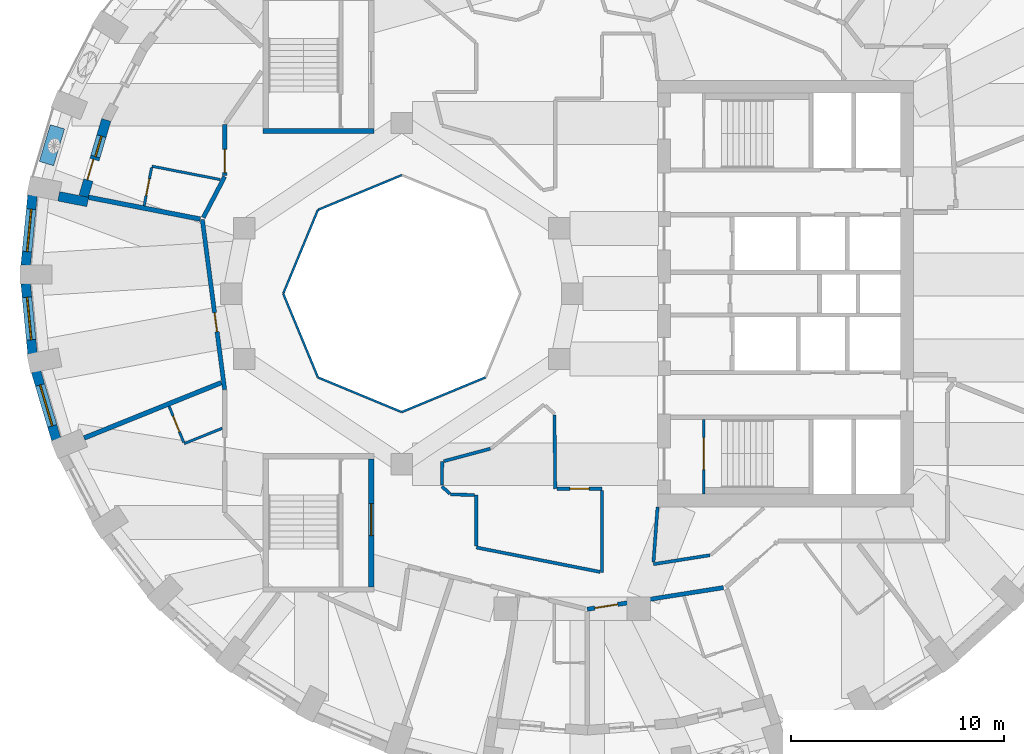
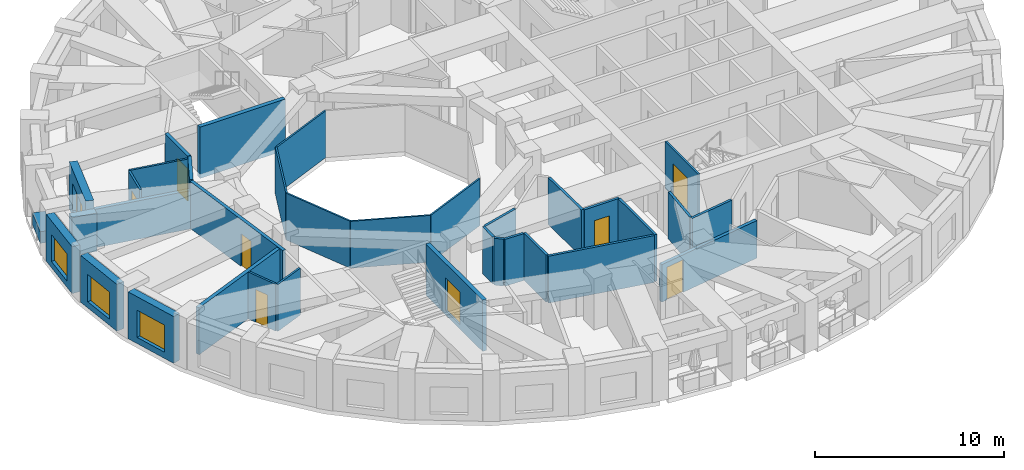
# One storey, part 4 of 12: 35 walls, 9 doors, 4 windows, 13 openings.
"""IFC4 building model written with IfcOpenShell, lengths in metres."""

from ifc_helpers import new_model, si_unit, direction, frame, frame_2d, origin, place, context, subcontext, project, spatial, rectangle, extrude, material, layer, layer_set, constituent, constituent_set, type_object, element, fill, save


model = new_model("IFC4")

# Units and contexts
model_context = context("Model", 3, precision=1e-05, world=origin(), true_north=direction((0.0, 1.0)))
body_context = subcontext(model_context, "Body", "Model", "MODEL_VIEW")
ifc_project = project(units=[si_unit("LENGTHUNIT", "METRE"), si_unit("AREAUNIT", "SQUARE_METRE"), si_unit("VOLUMEUNIT", "CUBIC_METRE"), si_unit("PLANEANGLEUNIT", "RADIAN"), si_unit("MASSUNIT", "GRAM", prefix="KILO")], contexts=[model_context])

# Site, building, storey
site_placement = place(None, origin())
site = spatial("IfcSite", under=ifc_project, at=site_placement, CompositionType="ELEMENT")
building_placement = place(site_placement, origin())
building = spatial("IfcBuilding", under=site, at=building_placement, Name="Taillehof Tower", CompositionType="ELEMENT")
storey_placement = place(building_placement, frame((0.0, 0.0, 205.699951171875)))
storey = spatial("IfcBuildingStorey", under=building, at=storey_placement, Name="L58", CompositionType="ELEMENT", Elevation=205.699951171875)

# Walls
ifc_material_1 = material(Name="Fire-resisting glass in steel frame", Category="steel")
ifc_layer_1 = layer(ifc_material_1, 0.10009765625)
ifc_layer_set_1 = layer_set([ifc_layer_1], Name="Atrium fire-resisting screen EI 60 100")
wall_type_1 = type_object("IfcWallType", Name="Atrium fire-resisting screen EI 60 100", PredefinedType="PARTITIONING", material=ifc_layer_set_1)
for number, where, z_axis, x_axis, name in (
    (1, (-4.07275390625, -3.92724609375, 0.0), (0.0, 0.0, 1.0), (-0.923860025149, -0.382730523909, 0.0), "Atrium screen"),
    (2, (-8.0, -5.55419921875, 0.0), (0.0, 0.0, 1.0), (-0.923860025149, 0.382730523909, 0.0), "Atrium screen"),
    (3, (-11.92724609375, -3.92724609375, 0.0), (0.0, 0.0, 1.0), (-0.382730523909, 0.923860025149, 0.0), "Atrium screen"),
    (4, (-13.55419921875, 0.0, 0.0), (0.0, 0.0, 1.0), (0.382730523909, 0.923860025149, 0.0), "Atrium screen"),
    (5, (-11.92724609375, 3.92724609375, 0.0), (0.0, 0.0, 1.0), (0.923860025149, 0.382730523909, 0.0), "Atrium screen"),
):
    element("IfcWall", number, at=place(storey_placement, frame(where, z_axis=z_axis, x_axis=x_axis)), inside=storey, type_object=wall_type_1, Name=name, PredefinedType="PARTITIONING", context=body_context, shape_type="SweptSolid", body=[
        extrude(rectangle(XDim=4.2509765625, YDim=0.10009765625, at=frame_2d((2.12548828125, 0.0))), origin(), (0.0, 0.0, 1.0), 3.02001953125),
    ])

# Wall, opening, window
ifc_material_2 = material(Name="Brick masonry", Category="masonry")
ifc_layer_2 = layer(ifc_material_2, 0.449951171875)
ifc_layer_set_2 = layer_set([ifc_layer_2], Name="Brick infill wall 450")
wall_type_2 = type_object("IfcWallType", Name="Brick infill wall 450", PredefinedType="SOLIDWALL", material=ifc_layer_set_2)
wall_1_placement = place(storey_placement, frame((-25.313232421875, 4.607666015625, 0.0), z_axis=(0.0, 0.0, 1.0), x_axis=(-0.096824116835, -0.995301507283, 0.0)))
wall_1 = element("IfcWall", 6, at=wall_1_placement, inside=storey, type_object=wall_type_2, Name="Brick wall L58 bay 18", PredefinedType="SOLIDWALL", context=body_context, shape_type="SweptSolid", body=[
    extrude(rectangle(XDim=3.29296875, YDim=0.449951171875, at=frame_2d((1.646484375, 0.0))), origin(), (0.0, 0.0, 1.0), 3.02001953125),
])
opening_1_placement = place(wall_1_placement, frame((0.646484375, 0.0, 0.39990234375)))
opening_1 = element("IfcOpeningElement", 7, at=opening_1_placement, cuts=wall_1, Name="Opening W2", PredefinedType="OPENING", context=body_context, shape_type="SweptSolid", body=[
    extrude(rectangle(XDim=2.0, YDim=1.75, at=frame_2d((1.0, 0.875))), frame((0.0, 0.23486328125, 0.0), z_axis=(0.0, -1.0, 0.0), x_axis=(1.0, 0.0, 0.0)), (0.0, 0.0, 1.0), 0.469970703125),
])
ifc_material_3 = material(Name="Aluminium window frame with clear double glazing", Category="aluminium")
window_type_1 = type_object("IfcWindowType", Name="Deep-set window 2000x1750", PartitioningType="SINGLE_PANEL", PredefinedType="WINDOW", material=ifc_material_3)
window_1_placement = place(opening_1_placement, origin())
window_1 = element("IfcWindow", 8, at=window_1_placement, inside=storey, type_object=window_type_1, Name="W2", OverallHeight=1.75, OverallWidth=2.0, PartitioningType="SINGLE_PANEL", PredefinedType="WINDOW", context=body_context, shape_type="SweptSolid", body=[
    extrude(rectangle(XDim=2.0, YDim=1.75, at=frame_2d((1.0, 0.875))), frame((0.0, 0.034912109375, 0.0), z_axis=(0.0, -1.0, 0.0), x_axis=(1.0, 0.0, 0.0)), (0.0, 0.0, 1.0), 0.06005859375),
])
fill(opening_1, window_1)

wall_2_placement = place(storey_placement, frame((-25.632080078125, 0.469970703125, 0.0), z_axis=(0.0, 0.0, 1.0), x_axis=(0.096816972749, -0.995302202242, 0.0)))
wall_2 = element("IfcWall", 9, at=wall_2_placement, inside=storey, type_object=wall_type_2, Name="Brick wall L58 bay 19", PredefinedType="SOLIDWALL", context=body_context, shape_type="SweptSolid", body=[
    extrude(rectangle(XDim=3.293212890625, YDim=0.449951171875, at=frame_2d((1.646484375, 0.0))), origin(), (0.0, 0.0, 1.0), 3.02001953125),
])
opening_2_placement = place(wall_2_placement, frame((0.646484375, 0.0, 0.39990234375)))
opening_2 = element("IfcOpeningElement", 10, at=opening_2_placement, cuts=wall_2, Name="Opening W2", PredefinedType="OPENING", context=body_context, shape_type="SweptSolid", body=[
    extrude(rectangle(XDim=2.0, YDim=1.75, at=frame_2d((1.0, 0.875))), frame((0.0, 0.23486328125, 0.0), z_axis=(0.0, -1.0, 0.0), x_axis=(1.0, 0.0, 0.0)), (0.0, 0.0, 1.0), 0.469970703125),
])
window_2_placement = place(opening_2_placement, origin())
window_2 = element("IfcWindow", 11, at=window_2_placement, inside=storey, type_object=window_type_1, Name="W2", OverallHeight=1.75, OverallWidth=2.0, PartitioningType="SINGLE_PANEL", PredefinedType="WINDOW", context=body_context, shape_type="SweptSolid", body=[
    extrude(rectangle(XDim=2.0, YDim=1.75, at=frame_2d((1.0, 0.875))), frame((0.0, 0.034912109375, 0.0), z_axis=(0.0, -1.0, 0.0), x_axis=(1.0, 0.0, 0.0)), (0.0, 0.0, 1.0), 0.06005859375),
])
fill(opening_2, window_2)

wall_3_placement = place(storey_placement, frame((-25.148193359375, -3.65185546875, 0.0), z_axis=(0.0, 0.0, 1.0), x_axis=(0.285444972963, -0.958395099847, 0.0)))
wall_3 = element("IfcWall", 12, at=wall_3_placement, inside=storey, type_object=wall_type_2, Name="Brick wall L58 bay 20", PredefinedType="SOLIDWALL", context=body_context, shape_type="SweptSolid", body=[
    extrude(rectangle(XDim=3.3203125, YDim=0.449951171875, at=frame_2d((1.66015625, 0.0))), origin(), (0.0, 0.0, 1.0), 3.02001953125),
])
opening_3_placement = place(wall_3_placement, frame((0.66015625, 0.0, 0.39990234375)))
opening_3 = element("IfcOpeningElement", 13, at=opening_3_placement, cuts=wall_3, Name="Opening W2", PredefinedType="OPENING", context=body_context, shape_type="SweptSolid", body=[
    extrude(rectangle(XDim=2.0, YDim=1.75, at=frame_2d((1.0, 0.875))), frame((0.0, 0.23486328125, 0.0), z_axis=(0.0, -1.0, 0.0), x_axis=(1.0, 0.0, 0.0)), (0.0, 0.0, 1.0), 0.469970703125),
])
window_3_placement = place(opening_3_placement, origin())
window_3 = element("IfcWindow", 14, at=window_3_placement, inside=storey, type_object=window_type_1, Name="W2", OverallHeight=1.75, OverallWidth=2.0, PartitioningType="SINGLE_PANEL", PredefinedType="WINDOW", context=body_context, shape_type="SweptSolid", body=[
    extrude(rectangle(XDim=2.0, YDim=1.75, at=frame_2d((1.0, 0.875))), frame((0.0, 0.034912109375, 0.0), z_axis=(0.0, -1.0, 0.0), x_axis=(1.0, 0.0, 0.0)), (0.0, 0.0, 1.0), 0.06005859375),
])
fill(opening_3, window_3)

# Wall
wall_4_placement = place(storey_placement, frame((-24.086669921875, 4.56298828125, 0.0), z_axis=(0.0, 0.0, 1.0), x_axis=(0.98143579878, -0.191790961394, 0.0)))
element("IfcWall", 15, at=wall_4_placement, inside=storey, type_object=wall_type_2, Name="Brick reveal L58 pocket 4", PredefinedType="SOLIDWALL", context=body_context, shape_type="SweptSolid", body=[
    extrude(rectangle(XDim=1.39013671875, YDim=0.449951171875, at=frame_2d((0.695068359375, 0.0))), origin(), (0.0, 0.0, 1.0), 2.469970703125),
])

# Wall, openings, door, window
wall_5_placement = place(storey_placement, frame((-21.8544921875, 8.146484375, 0.0), z_axis=(0.0, 0.0, 1.0), x_axis=(-0.284757753004, -0.958599510799, 0.0)))
wall_5 = element("IfcWall", 16, at=wall_5_placement, inside=storey, type_object=wall_type_2, Name="Brick wall L58 pocket bay 17", PredefinedType="SOLIDWALL", context=body_context, shape_type="SweptSolid", body=[
    extrude(rectangle(XDim=3.7373046875, YDim=0.449951171875, at=frame_2d((1.86865234375, 0.0))), origin(), (0.0, 0.0, 1.0), 3.02001953125),
])
opening_4_placement = place(wall_5_placement, frame((0.793701171875, 0.0, 0.39990234375)))
opening_4 = element("IfcOpeningElement", 17, at=opening_4_placement, cuts=wall_5, Name="Opening W5", PredefinedType="OPENING", context=body_context, shape_type="SweptSolid", body=[
    extrude(rectangle(XDim=1.0, YDim=1.75, at=frame_2d((0.5, 0.875))), frame((0.0, 0.23486328125, 0.0), z_axis=(0.0, -1.0, 0.0), x_axis=(1.0, 0.0, 0.0)), (0.0, 0.0, 1.0), 0.469970703125),
])
opening_5_placement = place(wall_5_placement, frame((1.943603515625, 0.0, 0.0)))
opening_5 = element("IfcOpeningElement", 18, at=opening_5_placement, cuts=wall_5, Name="Opening D5893", PredefinedType="OPENING", context=body_context, shape_type="SweptSolid", body=[
    extrude(rectangle(XDim=1.0, YDim=2.14990234375, at=frame_2d((0.5, 1.074951171875))), frame((0.0, 0.23486328125, 0.0), z_axis=(0.0, -1.0, 0.0), x_axis=(1.0, 0.0, 0.0)), (0.0, 0.0, 1.0), 0.469970703125),
])
ifc_material_4 = material(Name="Aluminium door frame with clear double glazing", Category="aluminium")
door_type_1 = type_object("IfcDoorType", Name="Balcony door 1000x2150", OperationType="SINGLE_SWING_RIGHT", PredefinedType="DOOR", material=ifc_material_4)
door_1_placement = place(opening_5_placement, frame((1.0, 0.0, 0.0), z_axis=(0.0, 0.0, 1.0), x_axis=(-1.0, 0.0, 0.0)))
door_1 = element("IfcDoor", 19, at=door_1_placement, inside=storey, type_object=door_type_1, Name="Balcony door L58 bay 17", OperationType="SINGLE_SWING_LEFT", OverallHeight=2.14990234375, OverallWidth=1.0, PredefinedType="DOOR", context=body_context, shape_type="SweptSolid", body=[
    extrude(rectangle(XDim=1.0, YDim=2.14990234375, at=frame_2d((0.5, 1.074951171875))), frame((0.0, 0.0751953125, 0.0), z_axis=(0.0, -1.0, 0.0), x_axis=(1.0, 0.0, 0.0)), (0.0, 0.0, 1.0), 0.050048828125),
])
fill(opening_5, door_1)
ifc_material_5 = material(Name="Aluminium window frame with clear double glazing", Category="aluminium")
window_type_2 = type_object("IfcWindowType", Name="Fixed window 1000x1750", PartitioningType="SINGLE_PANEL", PredefinedType="WINDOW", material=ifc_material_5)
window_4_placement = place(opening_4_placement, origin())
window_4 = element("IfcWindow", 20, at=window_4_placement, inside=storey, type_object=window_type_2, Name="W5", OverallHeight=1.75, OverallWidth=1.0, PartitioningType="SINGLE_PANEL", PredefinedType="WINDOW", context=body_context, shape_type="SweptSolid", body=[
    extrude(rectangle(XDim=1.0, YDim=1.75, at=frame_2d((0.5, 0.875))), frame((0.0, 0.034912109375, 0.0), z_axis=(0.0, -1.0, 0.0), x_axis=(1.0, 0.0, 0.0)), (0.0, 0.0, 1.0), 0.06005859375),
])
fill(opening_4, window_4)

# Wall, opening, door
ifc_material_6 = material(Name="Gypsum board on steel studs, two layers each side", Category="steel")
ifc_layer_3 = layer(ifc_material_6, 0.199951171875)
ifc_layer_set_3 = layer_set([ifc_layer_3], Name="Compartment wall corridor 200")
wall_type_3 = type_object("IfcWallType", Name="Compartment wall corridor 200", PredefinedType="PARTITIONING", material=ifc_layer_set_3)
wall_6_placement = place(storey_placement, frame((7.08935546875, -13.785888671875, 0.0), z_axis=(0.0, 0.0, 1.0), x_axis=(-0.987636270411, -0.156762869867, 0.0)))
wall_6 = element("IfcWall", 21, at=wall_6_placement, inside=storey, type_object=wall_type_3, Name="Compartment wall", PredefinedType="PARTITIONING", context=body_context, shape_type="SweptSolid", body=[
    extrude(rectangle(XDim=6.469482421875, YDim=0.199951171875, at=frame_2d((3.23486328125, 0.0))), origin(), (0.0, 0.0, 1.0), 2.420166015625),
])
opening_6_placement = place(wall_6_placement, frame((5.015869140625, 0.0, 0.0)))
opening_6 = element("IfcOpeningElement", 22, at=opening_6_placement, cuts=wall_6, Name="Opening D5859", PredefinedType="OPENING", context=body_context, shape_type="SweptSolid", body=[
    extrude(rectangle(XDim=1.10009765625, YDim=2.10009765625, at=frame_2d((0.550048828125, 1.050048828125))), frame((0.0, 0.10986328125, 0.0), z_axis=(0.0, -1.0, 0.0), x_axis=(1.0, 0.0, 0.0)), (0.0, 0.0, 1.0), 0.219970703125),
])
ifc_material_7 = material(Name="Timber door leaf in steel frame", Category="steel")
door_type_2 = type_object("IfcDoorType", Name="Suite entrance door EI 30 1100 x 2100", OperationType="SINGLE_SWING_LEFT", PredefinedType="DOOR", material=ifc_material_7)
door_2_placement = place(opening_6_placement, origin())
door_2 = element("IfcDoor", 23, at=door_2_placement, inside=storey, type_object=door_type_2, Name="D5859", OperationType="SINGLE_SWING_RIGHT", OverallHeight=2.10009765625, OverallWidth=1.10009765625, PredefinedType="DOOR", context=body_context, shape_type="SweptSolid", body=[
    extrude(rectangle(XDim=1.10009765625, YDim=2.10009765625, at=frame_2d((0.550048828125, 1.050048828125))), frame((0.0, 0.02490234375, 0.0), z_axis=(0.0, -1.0, 0.0), x_axis=(1.0, 0.0, 0.0)), (0.0, 0.0, 1.0), 0.050048828125),
])
fill(opening_6, door_2)

wall_7_placement = place(storey_placement, frame((-16.302734375, -4.500732421875, 0.0), z_axis=(0.0, 0.0, 1.0), x_axis=(-0.130191522351, 0.991488864036, 0.0)))
wall_7 = element("IfcWall", 24, at=wall_7_placement, inside=storey, type_object=wall_type_3, Name="Compartment wall", PredefinedType="PARTITIONING", context=body_context, shape_type="SweptSolid", body=[
    extrude(rectangle(XDim=8.044677734375, YDim=0.199951171875, at=frame_2d((4.0224609375, 0.0))), origin(), (0.0, 0.0, 1.0), 3.02001953125),
])
opening_7_placement = place(wall_7_placement, frame((2.737548828125, 0.0, 0.0)))
opening_7 = element("IfcOpeningElement", 25, at=opening_7_placement, cuts=wall_7, Name="Opening D5852", PredefinedType="OPENING", context=body_context, shape_type="SweptSolid", body=[
    extrude(rectangle(XDim=0.89990234375, YDim=2.10009765625, at=frame_2d((0.449951171875, 1.050048828125))), frame((0.0, 0.10986328125, 0.0), z_axis=(0.0, -1.0, 0.0), x_axis=(1.0, 0.0, 0.0)), (0.0, 0.0, 1.0), 0.219970703125),
])
ifc_material_8 = material(Name="Timber door leaf in steel frame", Category="steel")
door_type_3 = type_object("IfcDoorType", Name="Service room door EI 30 900 x 2100", OperationType="SINGLE_SWING_LEFT", PredefinedType="DOOR", material=ifc_material_8)
door_3_placement = place(opening_7_placement, origin())
door_3 = element("IfcDoor", 26, at=door_3_placement, inside=storey, type_object=door_type_3, Name="D5852", OperationType="SINGLE_SWING_LEFT", OverallHeight=2.10009765625, OverallWidth=0.89990234375, PredefinedType="DOOR", context=body_context, shape_type="SweptSolid", body=[
    extrude(rectangle(XDim=0.89990234375, YDim=2.10009765625, at=frame_2d((0.449951171875, 1.050048828125))), frame((0.0, 0.02490234375, 0.0), z_axis=(0.0, -1.0, 0.0), x_axis=(1.0, 0.0, 0.0)), (0.0, 0.0, 1.0), 0.050048828125),
])
fill(opening_7, door_3)

# Wall
wall_8_placement = place(storey_placement, frame((-17.3037109375, 3.564697265625, 0.0), z_axis=(0.0, 0.0, 1.0), x_axis=(0.46212415324, 0.886815238363, 0.0)))
element("IfcWall", 27, at=wall_8_placement, inside=storey, type_object=wall_type_3, Name="Compartment wall", PredefinedType="PARTITIONING", context=body_context, shape_type="SweptSolid", body=[
    extrude(rectangle(XDim=2.171875, YDim=0.199951171875, at=frame_2d((1.0859375, 0.0))), origin(), (0.0, 0.0, 1.0), 3.02001953125),
])

# Wall, opening, door
wall_9_placement = place(storey_placement, frame((-16.300048828125, 5.53076171875, 0.0), z_axis=(0.0, 0.0, 1.0), x_axis=(0.0, 1.0, 0.0)))
wall_9 = element("IfcWall", 28, at=wall_9_placement, inside=storey, type_object=wall_type_3, Name="Compartment wall", PredefinedType="PARTITIONING", context=body_context, shape_type="SweptSolid", body=[
    extrude(rectangle(XDim=2.409423828125, YDim=0.199951171875, at=frame_2d((1.20458984375, 0.0))), origin(), (0.0, 0.0, 1.0), 3.02001953125),
])
opening_8_placement = place(wall_9_placement, frame((0.139892578125, 0.0, 0.0)))
opening_8 = element("IfcOpeningElement", 29, at=opening_8_placement, cuts=wall_9, Name="Opening D5850", PredefinedType="OPENING", context=body_context, shape_type="SweptSolid", body=[
    extrude(rectangle(XDim=1.10009765625, YDim=2.10009765625, at=frame_2d((0.550048828125, 1.050048828125))), frame((0.0, 0.10986328125, 0.0), z_axis=(0.0, -1.0, 0.0), x_axis=(1.0, 0.0, 0.0)), (0.0, 0.0, 1.0), 0.219970703125),
])
door_4_placement = place(opening_8_placement, origin())
door_4 = element("IfcDoor", 30, at=door_4_placement, inside=storey, type_object=door_type_2, Name="D5850", OperationType="SINGLE_SWING_LEFT", OverallHeight=2.10009765625, OverallWidth=1.10009765625, PredefinedType="DOOR", context=body_context, shape_type="SweptSolid", body=[
    extrude(rectangle(XDim=1.10009765625, YDim=2.10009765625, at=frame_2d((0.550048828125, 1.050048828125))), frame((0.0, 0.02490234375, 0.0), z_axis=(0.0, -1.0, 0.0), x_axis=(1.0, 0.0, 0.0)), (0.0, 0.0, 1.0), 0.050048828125),
])
fill(opening_8, door_4)

# Walls
ifc_material_9 = material(Name="Gypsum board on double steel studs with mineral wool", Category="steel")
ifc_layer_4 = layer(ifc_material_9, 0.219970703125)
ifc_layer_set_4 = layer_set([ifc_layer_4], Name="Compartment wall guest room 220")
wall_type_4 = type_object("IfcWallType", Name="Compartment wall guest room 220", PredefinedType="PARTITIONING", material=ifc_layer_set_4)
wall_10_placement = place(storey_placement, frame((-22.69677734375, 4.5205078125, 0.0), z_axis=(0.0, 0.0, 1.0), x_axis=(0.981448712972, -0.19172486486, 0.0)))
element("IfcWall", 31, at=wall_10_placement, inside=storey, type_object=wall_type_4, Name="Compartment wall", PredefinedType="PARTITIONING", context=body_context, shape_type="SweptSolid", body=[
    extrude(rectangle(XDim=5.34814453125, YDim=0.219970703125, at=frame_2d((2.674072265625, 0.0))), origin(), (0.0, 0.0, 1.0), 2.469970703125),
])
wall_11_placement = place(storey_placement, frame((-22.8955078125, -6.771484375, 0.0), z_axis=(0.0, 0.0, 1.0), x_axis=(0.927377440276, 0.374127095073, 0.0)))
element("IfcWall", 32, at=wall_11_placement, inside=storey, type_object=wall_type_4, Name="Compartment wall", PredefinedType="PARTITIONING", context=body_context, shape_type="SweptSolid", body=[
    extrude(rectangle(XDim=6.933349609375, YDim=0.219970703125, at=frame_2d((3.466796875, 0.0))), origin(), (0.0, 0.0, 1.0), 3.02001953125),
])
ifc_material_10 = material(Name="Gypsum board on steel studs, two layers each side", Category="steel")
ifc_layer_5 = layer(ifc_material_10, 0.14990234375)
ifc_layer_set_5 = layer_set([ifc_layer_5], Name="Compartment wall service room 150")
wall_type_5 = type_object("IfcWallType", Name="Compartment wall service room 150", PredefinedType="PARTITIONING", material=ifc_layer_set_5)
wall_12_placement = place(storey_placement, frame((-0.8369140625, -5.69873046875, 0.0), z_axis=(0.0, 0.0, 1.0), x_axis=(0.010681337428, -0.999942952888, 0.0)))
element("IfcWall", 33, at=wall_12_placement, inside=storey, type_object=wall_type_5, Name="Compartment wall", PredefinedType="PARTITIONING", context=body_context, shape_type="SweptSolid", body=[
    extrude(rectangle(XDim=3.451416015625, YDim=0.14990234375, at=frame_2d((1.7255859375, 0.0))), origin(), (0.0, 0.0, 1.0), 3.02001953125),
])

# Wall, opening, door
wall_13_placement = place(storey_placement, frame((-0.719970703125, -9.14990234375, 0.0), z_axis=(0.0, 0.0, 1.0), x_axis=(1.0, 0.0, 0.0)))
wall_13 = element("IfcWall", 34, at=wall_13_placement, inside=storey, type_object=wall_type_5, Name="Compartment wall", PredefinedType="PARTITIONING", context=body_context, shape_type="SweptSolid", body=[
    extrude(rectangle(XDim=2.119873046875, YDim=0.14990234375, at=frame_2d((1.06005859375, 0.0))), origin(), (0.0, 0.0, 1.0), 3.02001953125),
])
opening_9_placement = place(wall_13_placement, frame((0.60986328125, 0.0, 0.0)))
opening_9 = element("IfcOpeningElement", 35, at=opening_9_placement, cuts=wall_13, Name="Opening D5867", PredefinedType="OPENING", context=body_context, shape_type="SweptSolid", body=[
    extrude(rectangle(XDim=0.89990234375, YDim=2.10009765625, at=frame_2d((0.449951171875, 1.050048828125))), frame((0.0, 0.0849609375, 0.0), z_axis=(0.0, -1.0, 0.0), x_axis=(1.0, 0.0, 0.0)), (0.0, 0.0, 1.0), 0.169921875),
])
door_5_placement = place(opening_9_placement, origin())
door_5 = element("IfcDoor", 36, at=door_5_placement, inside=storey, type_object=door_type_3, Name="D5867", OperationType="SINGLE_SWING_LEFT", OverallHeight=2.10009765625, OverallWidth=0.89990234375, PredefinedType="DOOR", context=body_context, shape_type="SweptSolid", body=[
    extrude(rectangle(XDim=0.89990234375, YDim=2.10009765625, at=frame_2d((0.449951171875, 1.050048828125))), frame((0.0, 0.02490234375, 0.0), z_axis=(0.0, -1.0, 0.0), x_axis=(1.0, 0.0, 0.0)), (0.0, 0.0, 1.0), 0.050048828125),
])
fill(opening_9, door_5)

# Walls
wall_14_placement = place(storey_placement, frame((1.39990234375, -9.22998046875, 0.0), z_axis=(0.0, 0.0, 1.0), x_axis=(0.0, -1.0, 0.0)))
element("IfcWall", 37, at=wall_14_placement, inside=storey, type_object=wall_type_5, Name="Compartment wall", PredefinedType="PARTITIONING", context=body_context, shape_type="SweptSolid", body=[
    extrude(rectangle(XDim=3.8388671875, YDim=0.14990234375, at=frame_2d((1.91943359375, 0.0))), origin(), (0.0, 0.0, 1.0), 3.02001953125),
])
wall_15_placement = place(storey_placement, frame((1.30224609375, -13.04931640625, 0.0), z_axis=(0.0, 0.0, 1.0), x_axis=(-0.981063502149, 0.193686356647, 0.0)))
element("IfcWall", 38, at=wall_15_placement, inside=storey, type_object=wall_type_5, Name="Compartment wall", PredefinedType="PARTITIONING", context=body_context, shape_type="SweptSolid", body=[
    extrude(rectangle(XDim=5.914306640625, YDim=0.14990234375, at=frame_2d((2.95703125, 0.0))), origin(), (0.0, 0.0, 1.0), 3.02001953125),
])
wall_16_placement = place(storey_placement, frame((-4.5, -11.82373046875, 0.0), z_axis=(0.0, 0.0, 1.0), x_axis=(0.0, 1.0, 0.0)))
element("IfcWall", 39, at=wall_16_placement, inside=storey, type_object=wall_type_5, Name="Compartment wall", PredefinedType="PARTITIONING", context=body_context, shape_type="SweptSolid", body=[
    extrude(rectangle(XDim=2.373779296875, YDim=0.14990234375, at=frame_2d((1.18701171875, 0.0))), origin(), (0.0, 0.0, 1.0), 3.02001953125),
])
wall_17_placement = place(storey_placement, frame((-4.580078125, -9.447021484375, 0.0), z_axis=(0.0, 0.0, 1.0), x_axis=(-0.999526758156, 0.030761334993, 0.0)))
element("IfcWall", 40, at=wall_17_placement, inside=storey, type_object=wall_type_5, Name="Compartment wall", PredefinedType="PARTITIONING", context=body_context, shape_type="SweptSolid", body=[
    extrude(rectangle(XDim=1.126953125, YDim=0.14990234375, at=frame_2d((0.5634765625, 0.0))), origin(), (0.0, 0.0, 1.0), 3.02001953125),
])
wall_18_placement = place(storey_placement, frame((-5.736328125, -9.385498046875, 0.0), z_axis=(0.0, 0.0, 1.0), x_axis=(-0.740919573429, 0.671593765389, 0.0)))
element("IfcWall", 41, at=wall_18_placement, inside=storey, type_object=wall_type_5, Name="Compartment wall", PredefinedType="PARTITIONING", context=body_context, shape_type="SweptSolid", body=[
    extrude(rectangle(XDim=0.507080078125, YDim=0.14990234375, at=frame_2d((0.25341796875, 0.0))), origin(), (0.0, 0.0, 1.0), 3.02001953125),
])
wall_19_placement = place(storey_placement, frame((-6.111328125, -8.98486328125, 0.0), z_axis=(0.0, 0.0, 1.0), x_axis=(0.010133870444, 0.999948651017, 0.0)))
element("IfcWall", 42, at=wall_19_placement, inside=storey, type_object=wall_type_5, Name="Compartment wall", PredefinedType="PARTITIONING", context=body_context, shape_type="SweptSolid", body=[
    extrude(rectangle(XDim=1.108154296875, YDim=0.14990234375, at=frame_2d((0.55419921875, 0.0))), origin(), (0.0, 0.0, 1.0), 3.02001953125),
])
wall_20_placement = place(storey_placement, frame((-6.02294921875, -7.856201171875, 0.0), z_axis=(0.0, 0.0, 1.0), x_axis=(0.965887119847, 0.25896345633, 0.0)))
element("IfcWall", 43, at=wall_20_placement, inside=storey, type_object=wall_type_5, Name="Compartment wall", PredefinedType="PARTITIONING", context=body_context, shape_type="SweptSolid", body=[
    extrude(rectangle(XDim=2.254150390625, YDim=0.14990234375, at=frame_2d((1.126953125, 0.0))), origin(), (0.0, 0.0, 1.0), 3.02001953125),
])
wall_21_placement = place(storey_placement, frame((6.456787109375, -12.266357421875, 0.0), z_axis=(0.0, 0.0, 1.0), x_axis=(-0.987639766053, -0.156740845063, 0.0)))
element("IfcWall", 44, at=wall_21_placement, inside=storey, type_object=wall_type_5, Name="Compartment wall", PredefinedType="PARTITIONING", context=body_context, shape_type="SweptSolid", body=[
    extrude(rectangle(XDim=2.68994140625, YDim=0.14990234375, at=frame_2d((1.344970703125, 0.0))), origin(), (0.0, 0.0, 1.0), 3.02001953125),
])
wall_22_placement = place(storey_placement, frame((3.807373046875, -12.587890625, 0.0), z_axis=(0.0, 0.0, 1.0), x_axis=(0.07420077159, 0.997243323114, 0.0)))
element("IfcWall", 45, at=wall_22_placement, inside=storey, type_object=wall_type_5, Name="Compartment wall", PredefinedType="PARTITIONING", context=body_context, shape_type="SweptSolid", body=[
    extrude(rectangle(XDim=2.595947265625, YDim=0.14990234375, at=frame_2d((1.2978515625, 0.0))), origin(), (0.0, 0.0, 1.0), 3.02001953125),
])
ifc_material_11 = material(Name="Gypsum board on steel studs, moisture resistant", Category="steel")
ifc_layer_6 = layer(ifc_material_11, 0.1201171875)
ifc_layer_set_6 = layer_set([ifc_layer_6], Name="En-suite wall 120")
wall_type_6 = type_object("IfcWallType", Name="En-suite wall 120", PredefinedType="PARTITIONING", material=ifc_layer_set_6)
wall_23_placement = place(storey_placement, frame((-16.508056640625, 5.34912109375, 0.0), z_axis=(0.0, 0.0, 1.0), x_axis=(-0.981441910277, 0.191759684898, 0.0)))
element("IfcWall", 46, at=wall_23_placement, inside=storey, type_object=wall_type_6, Name="En-suite wall", PredefinedType="PARTITIONING", context=body_context, shape_type="SweptSolid", body=[
    extrude(rectangle(XDim=3.266845703125, YDim=0.1201171875, at=frame_2d((1.63330078125, 0.0))), origin(), (0.0, 0.0, 1.0), 3.02001953125),
])
wall_24_placement = place(storey_placement, frame((-16.418701171875, -6.315185546875, 0.0), z_axis=(0.0, 0.0, 1.0), x_axis=(-0.927358946461, -0.374172933841, 0.0)))
element("IfcWall", 47, at=wall_24_placement, inside=storey, type_object=wall_type_6, Name="En-suite wall", PredefinedType="PARTITIONING", context=body_context, shape_type="SweptSolid", body=[
    extrude(rectangle(XDim=1.920166015625, YDim=0.1201171875, at=frame_2d((0.9599609375, 0.0))), origin(), (0.0, 0.0, 1.0), 3.02001953125),
])

# Wall, opening, door
wall_25_placement = place(storey_placement, frame((-19.725830078125, 5.916748046875, 0.0), z_axis=(0.0, 0.0, 1.0), x_axis=(-0.191830051998, -0.981428158935, 0.0)))
wall_25 = element("IfcWall", 48, at=wall_25_placement, inside=storey, type_object=wall_type_6, Name="En-suite wall", PredefinedType="PARTITIONING", context=body_context, shape_type="SweptSolid", body=[
    extrude(rectangle(XDim=1.830078125, YDim=0.1201171875, at=frame_2d((0.9150390625, 0.0))), origin(), (0.0, 0.0, 1.0), 3.02001953125),
])
opening_10_placement = place(wall_25_placement, frame((0.5400390625, 0.0, 0.0)))
opening_10 = element("IfcOpeningElement", 49, at=opening_10_placement, cuts=wall_25, Name="Opening D5851", PredefinedType="OPENING", context=body_context, shape_type="SweptSolid", body=[
    extrude(rectangle(XDim=0.800048828125, YDim=2.10009765625, at=frame_2d((0.39990234375, 1.050048828125))), frame((0.0, 0.070068359375, 0.0), z_axis=(0.0, -1.0, 0.0), x_axis=(1.0, 0.0, 0.0)), (0.0, 0.0, 1.0), 0.14013671875),
])
ifc_material_12 = material(Name="Timber door leaf in steel frame", Category="steel")
door_type_4 = type_object("IfcDoorType", Name="En-suite door 800 x 2100", OperationType="SINGLE_SWING_LEFT", PredefinedType="DOOR", material=ifc_material_12)
door_6_placement = place(opening_10_placement, origin())
door_6 = element("IfcDoor", 50, at=door_6_placement, inside=storey, type_object=door_type_4, Name="D5851", OperationType="SINGLE_SWING_LEFT", OverallHeight=2.10009765625, OverallWidth=0.800048828125, PredefinedType="DOOR", context=body_context, shape_type="SweptSolid", body=[
    extrude(rectangle(XDim=0.800048828125, YDim=2.10009765625, at=frame_2d((0.39990234375, 1.050048828125))), frame((0.0, 0.02490234375, 0.0), z_axis=(0.0, -1.0, 0.0), x_axis=(1.0, 0.0, 0.0)), (0.0, 0.0, 1.0), 0.050048828125),
])
fill(opening_10, door_6)

wall_26_placement = place(storey_placement, frame((-18.221923828125, -6.97802734375, 0.0), z_axis=(0.0, 0.0, 1.0), x_axis=(-0.374218187905, 0.927340685963, 0.0)))
wall_26 = element("IfcWall", 51, at=wall_26_placement, inside=storey, type_object=wall_type_6, Name="En-suite wall", PredefinedType="PARTITIONING", context=body_context, shape_type="SweptSolid", body=[
    extrude(rectangle(XDim=1.830078125, YDim=0.1201171875, at=frame_2d((0.9150390625, 0.0))), origin(), (0.0, 0.0, 1.0), 3.02001953125),
])
opening_11_placement = place(wall_26_placement, frame((0.5400390625, 0.0, 0.0)))
opening_11 = element("IfcOpeningElement", 52, at=opening_11_placement, cuts=wall_26, Name="Opening D5854", PredefinedType="OPENING", context=body_context, shape_type="SweptSolid", body=[
    extrude(rectangle(XDim=0.800048828125, YDim=2.10009765625, at=frame_2d((0.39990234375, 1.050048828125))), frame((0.0, 0.070068359375, 0.0), z_axis=(0.0, -1.0, 0.0), x_axis=(1.0, 0.0, 0.0)), (0.0, 0.0, 1.0), 0.14013671875),
])
door_7_placement = place(opening_11_placement, origin())
door_7 = element("IfcDoor", 53, at=door_7_placement, inside=storey, type_object=door_type_4, Name="D5854", OperationType="SINGLE_SWING_RIGHT", OverallHeight=2.10009765625, OverallWidth=0.800048828125, PredefinedType="DOOR", context=body_context, shape_type="SweptSolid", body=[
    extrude(rectangle(XDim=0.800048828125, YDim=2.10009765625, at=frame_2d((0.39990234375, 1.050048828125))), frame((0.0, 0.02490234375, 0.0), z_axis=(0.0, -1.0, 0.0), x_axis=(1.0, 0.0, 0.0)), (0.0, 0.0, 1.0), 0.050048828125),
])
fill(opening_11, door_7)

# Wall
ifc_material_13 = material(Name="Concrete C30/37 precast", Category="concrete")
ifc_constituent_1 = constituent(ifc_material_13, Name="Structure", Category="concrete")
ifc_material_14 = material(Name="Insulated lining")
ifc_constituent_2 = constituent(ifc_material_14, Name="Lining")
ifc_constituent_set = constituent_set(constituents=[ifc_constituent_1, ifc_constituent_2], Name="Planter trough 700x750")
wall_type_7 = type_object("IfcWallType", Name="Planter trough 700x750", PredefinedType="USERDEFINED", material=ifc_constituent_set)
wall_27_placement = place(storey_placement, frame((-24.144287109375, 7.823974609375, 0.0), z_axis=(0.0, 0.0, 1.0), x_axis=(-0.285505743157, -0.958376998171, 0.0)))
element("IfcWall", 54, at=wall_27_placement, inside=storey, type_object=wall_type_7, Name="Planter L58 bay 17", ObjectType="PLANTER", PredefinedType="USERDEFINED", context=body_context, shape_type="SweptSolid", body=[
    extrude(rectangle(XDim=1.800048828125, YDim=0.699951171875, at=frame_2d((0.89990234375, 0.0))), origin(), (0.0, 0.0, 1.0), 0.75),
])

# Wall, opening, door
ifc_material_15 = material(Name="Concrete C50/60", Category="concrete")
ifc_layer_7 = layer(ifc_material_15, 0.1201171875)
ifc_layer_set_7 = layer_set([ifc_layer_7], Name="Stair lobby wall C50/60 120")
wall_type_8 = type_object("IfcWallType", Name="Stair lobby wall C50/60 120", PredefinedType="SHEAR", material=ifc_layer_set_7)
wall_28_placement = place(storey_placement, frame((6.159912109375, -9.39990234375, 0.0), z_axis=(0.0, 0.0, 1.0), x_axis=(0.0, 1.0, 0.0)))
wall_28 = element("IfcWall", 55, at=wall_28_placement, inside=storey, type_object=wall_type_8, Name="Compartment wall SW", PredefinedType="SHEAR", context=body_context, shape_type="SweptSolid", body=[
    extrude(rectangle(XDim=3.5, YDim=0.1201171875, at=frame_2d((1.75, 0.0))), origin(), (0.0, 0.0, 1.0), 3.02001953125),
])
opening_12_placement = place(wall_28_placement, frame((1.14990234375, 0.0, 0.0)))
opening_12 = element("IfcOpeningElement", 56, at=opening_12_placement, cuts=wall_28, Name="Opening D5811", PredefinedType="OPENING", context=body_context, shape_type="SweptSolid", body=[
    extrude(rectangle(XDim=1.5, YDim=2.10009765625, at=frame_2d((0.75, 1.050048828125))), frame((0.0, 0.070068359375, 0.0), z_axis=(0.0, -1.0, 0.0), x_axis=(1.0, 0.0, 0.0)), (0.0, 0.0, 1.0), 0.14013671875),
])
ifc_material_16 = material(Name="Steel-faced fire door", Category="steel")
door_type_5 = type_object("IfcDoorType", Name="Stair door 1500x2100", OperationType="DOUBLE_DOOR_SINGLE_SWING", PredefinedType="DOOR", material=ifc_material_16)
door_8_placement = place(opening_12_placement, origin())
door_8 = element("IfcDoor", 57, at=door_8_placement, inside=storey, type_object=door_type_5, Name="Stair lobby door S2", OperationType="DOUBLE_DOOR_SINGLE_SWING", OverallHeight=2.10009765625, OverallWidth=1.5, PredefinedType="DOOR", context=body_context, shape_type="SweptSolid", body=[
    extrude(rectangle(XDim=1.5, YDim=2.10009765625, at=frame_2d((0.75, 1.050048828125))), frame((0.0, 0.02490234375, 0.0), z_axis=(0.0, -1.0, 0.0), x_axis=(1.0, 0.0, 0.0)), (0.0, 0.0, 1.0), 0.050048828125),
])
fill(opening_12, door_8)

# Wall
ifc_material_17 = material(Name="Concrete C50/60", Category="concrete")
ifc_layer_8 = layer(ifc_material_17, 0.25)
ifc_layer_set_8 = layer_set([ifc_layer_8], Name="Stair wall C50/60 250")
wall_type_9 = type_object("IfcWallType", Name="Stair wall C50/60 250", PredefinedType="SHEAR", material=ifc_layer_set_8)
wall_29_placement = place(storey_placement, frame((-14.5, 7.625, -0.280029296875), z_axis=(0.0, 0.0, 1.0), x_axis=(1.0, 0.0, 0.0)))
element("IfcWall", 58, at=wall_29_placement, inside=storey, type_object=wall_type_9, Name="Stair wall SC", PredefinedType="SHEAR", context=body_context, shape_type="SweptSolid", body=[
    extrude(rectangle(XDim=5.199951171875, YDim=0.25, at=frame_2d((2.60009765625, 0.0))), origin(), (0.0, 0.0, 1.0), 3.300048828125),
])

# Wall, opening, door
wall_30_placement = place(storey_placement, frame((-9.425048828125, -13.75, -0.280029296875), z_axis=(0.0, 0.0, 1.0), x_axis=(0.0, 1.0, 0.0)))
wall_30 = element("IfcWall", 59, at=wall_30_placement, inside=storey, type_object=wall_type_9, Name="Stair wall SC", PredefinedType="SHEAR", context=body_context, shape_type="SweptSolid", body=[
    extrude(rectangle(XDim=6.0, YDim=0.25, at=frame_2d((3.0, 0.0))), origin(), (0.0, 0.0, 1.0), 3.300048828125),
])
opening_13_placement = place(wall_30_placement, frame((2.39990234375, 0.0, 0.280029296875)))
opening_13 = element("IfcOpeningElement", 60, at=opening_13_placement, cuts=wall_30, Name="Opening D5816", PredefinedType="OPENING", context=body_context, shape_type="SweptSolid", body=[
    extrude(rectangle(XDim=1.5, YDim=2.10009765625, at=frame_2d((0.75, 1.050048828125))), frame((0.0, 0.135009765625, 0.0), z_axis=(0.0, -1.0, 0.0), x_axis=(1.0, 0.0, 0.0)), (0.0, 0.0, 1.0), 0.27001953125),
])
door_9_placement = place(opening_13_placement, origin())
door_9 = element("IfcDoor", 61, at=door_9_placement, inside=storey, type_object=door_type_5, Name="Stair door S4", OperationType="DOUBLE_DOOR_SINGLE_SWING", OverallHeight=2.10009765625, OverallWidth=1.5, PredefinedType="DOOR", context=body_context, shape_type="SweptSolid", body=[
    extrude(rectangle(XDim=1.5, YDim=2.10009765625, at=frame_2d((0.75, 1.050048828125))), frame((0.0, 0.02490234375, 0.0), z_axis=(0.0, -1.0, 0.0), x_axis=(1.0, 0.0, 0.0)), (0.0, 0.0, 1.0), 0.050048828125),
])
fill(opening_13, door_9)

save(model, "model.ifc")
